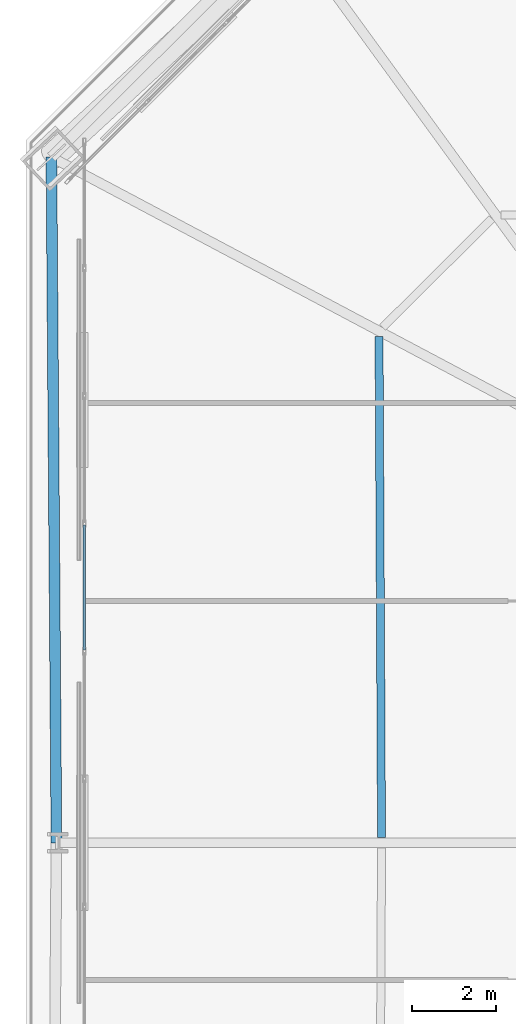
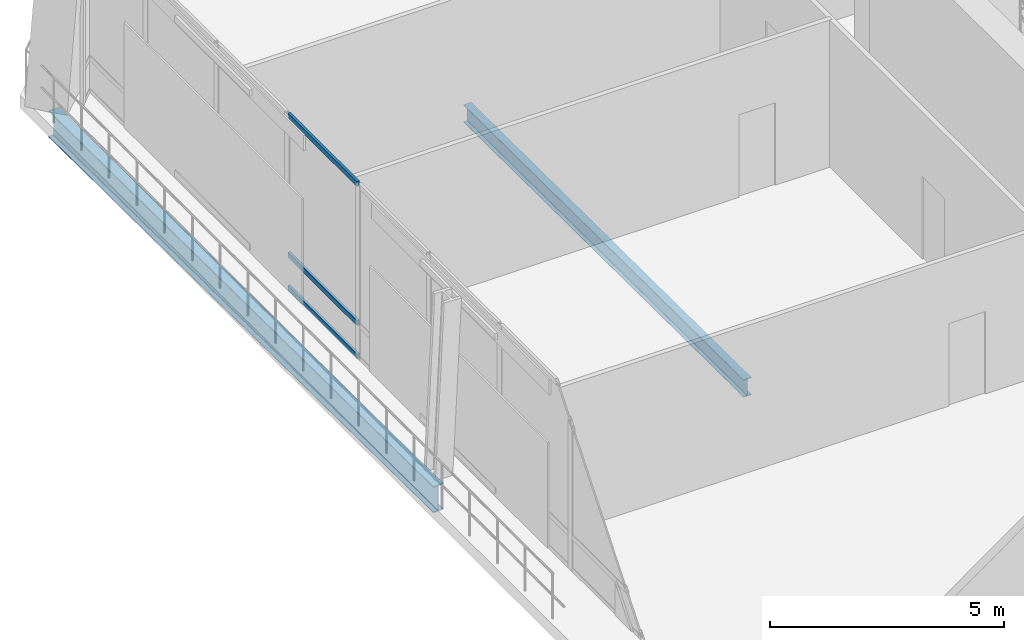
# One storey, part 14 of 48: 3 members, 2 beams, 1 element without a shape of its own.
"""IFC4 building model written with IfcOpenShell, lengths in metres."""

from ifc_helpers import new_model, si_unit, direction, frame, origin, origin_2d, place, context, subcontext, project, spatial, hollow_rectangle, i_section, extrude, material, layer, layer_set, material_profile, profile_set, type_object, element, aggregate, save


model = new_model("IFC4")

# Units and contexts
model_context = context("Model", 3, precision=1e-05, world=origin(), true_north=direction((0.0, 1.0)))
body_context = subcontext(model_context, "Body", "Model", "MODEL_VIEW")
ifc_project = project(units=[si_unit("LENGTHUNIT", "METRE"), si_unit("AREAUNIT", "SQUARE_METRE"), si_unit("VOLUMEUNIT", "CUBIC_METRE"), si_unit("PLANEANGLEUNIT", "RADIAN"), si_unit("MASSUNIT", "GRAM", prefix="KILO")], contexts=[model_context])

# Site, building, storey
site_placement = place(None, origin())
site = spatial("IfcSite", under=ifc_project, at=site_placement, CompositionType="ELEMENT")
building_placement = place(site_placement, origin())
building = spatial("IfcBuilding", under=site, at=building_placement, Name="Caelvoria Tower", CompositionType="ELEMENT")
storey_placement = place(building_placement, frame((0.0, 0.0, 90.39990234375)))
storey = spatial("IfcBuildingStorey", under=building, at=storey_placement, Name="L23", CompositionType="ELEMENT", Elevation=90.39990234375)

# Curtain wall, members
ifc_material_1 = material(Name="Anodised Bronze Aluminium and Low-E Glass", Category="aluminium")
ifc_layer = layer(ifc_material_1, 0.2099609375, Name="Anodised Bronze Aluminium and Low-E Glass")
ifc_layer_set = layer_set([ifc_layer], Name="CW System 3 Sky Lobby Double-Height Acoustic Facade - Anodised Bronze Aluminium and Low-E Glass")
curtain_wall_type = type_object("IfcCurtainWallType", Name="CW System 3 Sky Lobby Double-Height Acoustic Facade", PredefinedType="NOTDEFINED", material=ifc_layer_set)
curtain_wall_placement = place(storey_placement, origin())
curtain_wall = element("IfcCurtainWall", 1, at=curtain_wall_placement, inside=storey, type_object=curtain_wall_type, Name="CW-03 Curtain Wall L23-E6", PredefinedType="NOTDEFINED")
ifc_material_2 = material(Name="Anodised Bronze Architectural Aluminium", Category="aluminium")
ifc_material_profile_1 = material_profile(ifc_material_2, hollow_rectangle(XDim=0.06494140625, YDim=0.1298828125, WallThickness=0.00341796875, at=origin_2d()), Name="Anodised Bronze Architectural Aluminium")
ifc_profile_set_1 = profile_set([ifc_material_profile_1], Name="CW_TRAN_65X130 - Anodised Bronze Architectural Aluminium")
member_type = type_object("IfcMemberType", Name="Curtain Wall Transom 65x130 Bronze Aluminium", PredefinedType="USERDEFINED", material=ifc_profile_set_1)
member_1_placement = place(storey_placement, frame((22.26318359375, 39.525634765625, 0.03271484375), z_axis=(0.0, -1.0, 0.0), x_axis=(1.0, 0.0, 0.0)))
member_1 = element("IfcMember", 2, at=member_1_placement, type_object=member_type, Name="CW-03 transom 4.1", ObjectType="TRANSOM", PredefinedType="USERDEFINED", context=body_context, shape_type="SweptSolid", body=[
    extrude(hollow_rectangle(XDim=0.06494140625, YDim=0.1298828125, WallThickness=0.00341796875, at=origin_2d()), origin(), (0.0, 0.0, 1.0), 2.954345703125),
])
member_2_placement = place(storey_placement, frame((22.26318359375, 39.525634765625, 0.900146484375), z_axis=(0.0, -1.0, 0.0), x_axis=(1.0, 0.0, 0.0)))
member_2 = element("IfcMember", 3, at=member_2_placement, type_object=member_type, Name="CW-03 transom 4.2", ObjectType="TRANSOM", PredefinedType="USERDEFINED", context=body_context, shape_type="SweptSolid", body=[
    extrude(hollow_rectangle(XDim=0.06494140625, YDim=0.1298828125, WallThickness=0.00341796875, at=origin_2d()), origin(), (0.0, 0.0, 1.0), 2.954345703125),
])
member_3_placement = place(storey_placement, frame((22.26318359375, 39.525634765625, 4.527587890625), z_axis=(0.0, -1.0, 0.0), x_axis=(1.0, 0.0, 0.0)))
member_3 = element("IfcMember", 4, at=member_3_placement, type_object=member_type, Name="CW-03 transom 4.3", ObjectType="TRANSOM", PredefinedType="USERDEFINED", context=body_context, shape_type="SweptSolid", body=[
    extrude(hollow_rectangle(XDim=0.06494140625, YDim=0.1298828125, WallThickness=0.00341796875, at=origin_2d()), origin(), (0.0, 0.0, 1.0), 2.954345703125),
])
aggregate(curtain_wall, [member_1, member_2, member_3])

# Beams
ifc_material_3 = material(Name="Structural Steel ASTM A992 Gr.50", Category="steel")
ifc_material_profile_2 = material_profile(ifc_material_3, i_section(OverallWidth=0.25390625, OverallDepth=0.68798828125, WebThickness=0.01318359375, FlangeThickness=0.02099609375, FilletRadius=0.01904296875, at=origin_2d()), Name="Structural Steel ASTM A992 Gr.50")
ifc_profile_set_2 = profile_set([ifc_material_profile_2], Name="W690X152 - Structural Steel ASTM A992 Gr.50")
beam_type_1 = type_object("IfcBeamType", Name="Perimeter Spandrel Girder W690X152", PredefinedType="BEAM", material=ifc_profile_set_2)
beam_1_placement = place(storey_placement, frame((21.483642578125, 48.23583984375, -0.663818359375), z_axis=(0.00736799945, -0.999972855924, 0.0), x_axis=(0.999972855924, 0.00736799945, 0.0)))
element("IfcBeam", 5, at=beam_1_placement, inside=storey, type_object=beam_type_1, Name="Perimeter Spandrel Girder L23-09", PredefinedType="BEAM", context=body_context, shape_type="SweptSolid", body=[
    extrude(i_section(OverallWidth=0.25390625, OverallDepth=0.68798828125, WebThickness=0.01318359375, FlangeThickness=0.02099609375, FilletRadius=0.01904296875, at=origin_2d()), origin(), (0.0, 0.0, 1.0), 16.236328125),
])
ifc_material_profile_3 = material_profile(ifc_material_3, i_section(OverallWidth=0.18994140625, OverallDepth=0.45703125, WebThickness=0.009033203125, FlangeThickness=0.014404296875, FilletRadius=0.014892578125, at=origin_2d()), Name="Structural Steel ASTM A992 Gr.50")
ifc_profile_set_3 = profile_set([ifc_material_profile_3], Name="W460X74 - Structural Steel ASTM A992 Gr.50")
beam_type_2 = type_object("IfcBeamType", Name="Secondary Floor Beam W460X74", PredefinedType="BEAM", material=ifc_profile_set_3)
beam_2_placement = place(storey_placement, frame((29.242431640625, 43.992919921875, -0.54833984375), z_axis=(0.00493709397, -0.999987812477, 0.0), x_axis=(0.999987812477, 0.00493709397, 0.0)))
element("IfcBeam", 6, at=beam_2_placement, inside=storey, type_object=beam_type_2, Name="Secondary Floor Beam L23-09", PredefinedType="BEAM", context=body_context, shape_type="SweptSolid", body=[
    extrude(i_section(OverallWidth=0.18994140625, OverallDepth=0.45703125, WebThickness=0.009033203125, FlangeThickness=0.014404296875, FilletRadius=0.014892578125, at=origin_2d()), origin(), (0.0, 0.0, 1.0), 11.8681640625),
])

save(model, "model.ifc")
